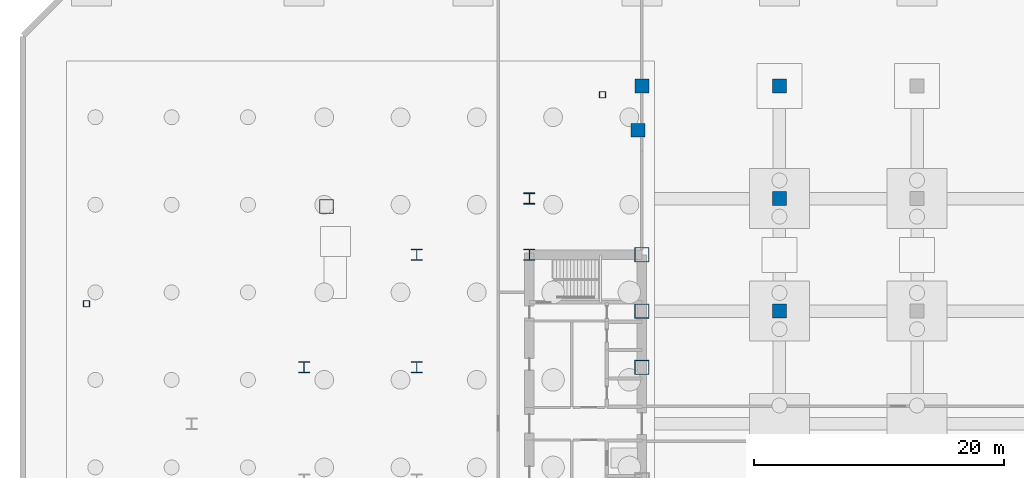
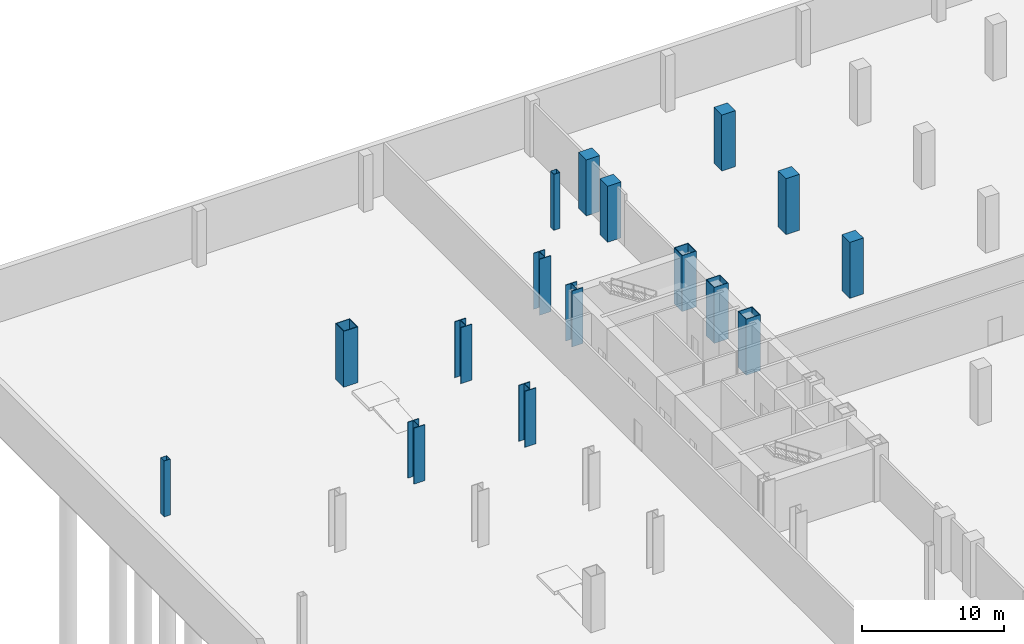
# One storey, part 4 of 18: 16 columns.
"""IFC4 building model written with IfcOpenShell, lengths in metres."""

from ifc_helpers import new_model, si_unit, direction, frame, origin, origin_2d, place, context, subcontext, project, spatial, rectangle, hollow_rectangle, i_section, extrude, source, transform, mapped, material, material_profile, profile_set, type_object, type_shapes, element, save


model = new_model("IFC4")

# Units and contexts
model_context = context("Model", 3, precision=1e-05, world=origin(), true_north=direction((0.0, 1.0)))
body_context = subcontext(model_context, "Body", "Model", "MODEL_VIEW")
ifc_project = project(units=[si_unit("LENGTHUNIT", "METRE"), si_unit("AREAUNIT", "SQUARE_METRE"), si_unit("VOLUMEUNIT", "CUBIC_METRE"), si_unit("PLANEANGLEUNIT", "RADIAN"), si_unit("MASSUNIT", "GRAM", prefix="KILO")], contexts=[model_context])

# Site, building, storey
site_placement = place(None, origin())
site = spatial("IfcSite", under=ifc_project, at=site_placement, CompositionType="ELEMENT")
building_placement = place(site_placement, origin())
building = spatial("IfcBuilding", under=site, at=building_placement, Name="Seokmaru Belvedere", CompositionType="ELEMENT")
storey_placement = place(building_placement, frame((0.0, 0.0, -9.60009765625)))
storey = spatial("IfcBuildingStorey", under=building, at=storey_placement, Name="B2", CompositionType="ELEMENT", Elevation=-9.60009765625)

# Columns
ifc_material_1 = material(Name="Steel HSA650 (650 MPa)", Category="steel")
ifc_material_profile_1 = material_profile(ifc_material_1, hollow_rectangle(XDim=1.14990234375, YDim=1.14990234375, WallThickness=0.048095703125, at=origin_2d()), Name="BOX-1150x1150x48")
ifc_profile_set_1 = profile_set([ifc_material_profile_1], Name="Steel HSA650 (650 MPa)")
column_type_1 = type_object("IfcColumnType", Name="Portal Spine Column BOX-1150", PredefinedType="COLUMN", material=ifc_profile_set_1)
shared_shape_1 = source(origin(), body_context, "Body", "SweptSolid", [
    extrude(hollow_rectangle(XDim=1.14990234375, YDim=1.14990234375, WallThickness=0.048095703125, at=origin_2d()), origin(), (0.0, 0.0, 1.0), 4.800048828125),
])
type_shapes(column_type_1, [shared_shape_1])
for number, where, z_axis, x_axis, name in (
    (1, (-27.5, 4.5, 0.0), (0.0, 0.0, 1.0), (1.0, 0.0, 0.0), "B2 Column WS4"),
    (2, (-27.5, 9.0, 0.0), (0.0, 0.0, 1.0), (1.0, 0.0, 0.0), "B2 Column WS5"),
    (3, (-27.5, 13.5, 0.0), (0.0, 0.0, 1.0), (1.0, 0.0, 0.0), "B2 Column WS6"),
    (4, (-52.715576171875, 17.360595703125, 0.0), (0.0, 0.0, 1.0), (1.0, 0.0, 0.0), "B2 Column WFLK_N2"),
):
    element("IfcColumn", number, at=place(storey_placement, frame(where, z_axis=z_axis, x_axis=x_axis)), inside=storey, type_object=column_type_1, Name=name, PredefinedType="COLUMN", context=body_context, shape_type="MappedRepresentation", body=[
        mapped(shared_shape_1, transform((0.0, 0.0, 0.0), scale=1.0)),
    ])
ifc_material_2 = material(Name="Concrete C60 (60 MPa)", Category="concrete")
ifc_material_profile_2 = material_profile(ifc_material_2, rectangle(XDim=1.10009765625, YDim=1.10009765625, at=origin_2d()), Name="RC-1100x1100")
ifc_profile_set_2 = profile_set([ifc_material_profile_2], Name="Concrete C60 (60 MPa)")
column_type_2 = type_object("IfcColumnType", Name="Basement Substructure Column RC-1100", PredefinedType="COLUMN", material=ifc_profile_set_2)
shared_shape_2 = source(origin(), body_context, "Body", "SweptSolid", [
    extrude(rectangle(XDim=1.10009765625, YDim=1.10009765625, at=origin_2d()), origin(), (0.0, 0.0, 1.0), 4.800048828125),
])
type_shapes(column_type_2, [shared_shape_2])
for number, where, z_axis, x_axis, name in (
    (5, (-27.5, 27.0, 0.0), (0.0, 0.0, 1.0), (1.0, 0.0, 0.0), "B2 Column WPS2"),
    (6, (-27.800048828125, 23.451416015625, 0.0), (0.0, 0.0, 1.0), (1.0, 0.0, 0.0), "B2 Column WPM_N"),
    (7, (-16.5, 9.0, 0.0), (0.0, 0.0, 1.0), (1.0, 0.0, 0.0), "B2 Column CP1_4"),
    (8, (-16.5, 18.0, 0.0), (0.0, 0.0, 1.0), (1.0, 0.0, 0.0), "B2 Column CP1_5"),
    (9, (-16.5, 27.0, 0.0), (0.0, 0.0, 1.0), (1.0, 0.0, 0.0), "B2 Column CP1_6"),
):
    element("IfcColumn", number, at=place(storey_placement, frame(where, z_axis=z_axis, x_axis=x_axis)), inside=storey, type_object=column_type_2, Name=name, PredefinedType="COLUMN", context=body_context, shape_type="MappedRepresentation", body=[
        mapped(shared_shape_2, transform((0.0, 0.0, 0.0), scale=1.0)),
    ])
ifc_material_profile_3 = material_profile(ifc_material_1, i_section(OverallWidth=0.89990234375, OverallDepth=0.89990234375, WebThickness=0.035888671875, FlangeThickness=0.054931640625, at=origin_2d()), Name="H-900x900x36x55")
ifc_profile_set_3 = profile_set([ifc_material_profile_3], Name="Steel HSA650 (650 MPa)")
column_type_3 = type_object("IfcColumnType", Name="Lower Interior Column H-900", PredefinedType="COLUMN", material=ifc_profile_set_3)
shared_shape_3 = source(origin(), body_context, "Body", "SweptSolid", [
    extrude(i_section(OverallWidth=0.89990234375, OverallDepth=0.89990234375, WebThickness=0.035888671875, FlangeThickness=0.054931640625, at=origin_2d()), origin(), (0.0, 0.0, 1.0), 4.800048828125),
])
type_shapes(column_type_3, [shared_shape_3])
for number, where, z_axis, x_axis, name in (
    (10, (-36.5, 13.5, 0.0), (0.0, 0.0, 1.0), (1.0, 0.0, 0.0), "B2 Column WC3"),
    (11, (-36.5, 18.0, 0.0), (0.0, 0.0, 1.0), (1.0, 0.0, 0.0), "B2 Column WC4"),
    (12, (-45.5, 4.5, 0.0), (0.0, 0.0, 1.0), (1.0, 0.0, 0.0), "B2 Column WG5_3"),
    (13, (-45.5, 13.5, 0.0), (0.0, 0.0, 1.0), (1.0, 0.0, 0.0), "B2 Column WG5_4"),
    (14, (-54.5, 4.5, 0.0), (0.0, 0.0, 1.0), (1.0, 0.0, 0.0), "B2 Column WG4P_2"),
):
    element("IfcColumn", number, at=place(storey_placement, frame(where, z_axis=z_axis, x_axis=x_axis)), inside=storey, type_object=column_type_3, Name=name, PredefinedType="COLUMN", context=body_context, shape_type="MappedRepresentation", body=[
        mapped(shared_shape_3, transform((0.0, 0.0, 0.0), scale=1.0)),
    ])
ifc_material_3 = material(Name="Steel SM355 (355 MPa)", Category="steel")
ifc_material_profile_4 = material_profile(ifc_material_3, hollow_rectangle(XDim=0.5, YDim=0.5, WallThickness=0.02001953125, at=origin_2d()), Name="HSS-500x500x20")
ifc_profile_set_4 = profile_set([ifc_material_profile_4], Name="Steel SM355 (355 MPa)")
column_type_4 = type_object("IfcColumnType", Name="Perimeter Facet Column HSS-500", PredefinedType="COLUMN", material=ifc_profile_set_4)
shared_shape_4 = source(origin(), body_context, "Body", "SweptSolid", [
    extrude(hollow_rectangle(XDim=0.5, YDim=0.5, WallThickness=0.02001953125, at=origin_2d()), origin(), (0.0, 0.0, 1.0), 4.800048828125),
])
type_shapes(column_type_4, [shared_shape_4])
for number, where, z_axis, x_axis, name in (
    (15, (-30.643310546875, 26.294677734375, 0.0), (0.0, 0.0, 1.0), (1.0, 0.0, 0.0), "B2 Column WF3"),
    (16, (-71.89990234375, 9.595703125, 0.0), (0.0, 0.0, 1.0), (1.0, 0.0, 0.0), "B2 Column WF4"),
):
    element("IfcColumn", number, at=place(storey_placement, frame(where, z_axis=z_axis, x_axis=x_axis)), inside=storey, type_object=column_type_4, Name=name, PredefinedType="COLUMN", context=body_context, shape_type="MappedRepresentation", body=[
        mapped(shared_shape_4, transform((0.0, 0.0, 0.0), scale=1.0)),
    ])

save(model, "model.ifc")
